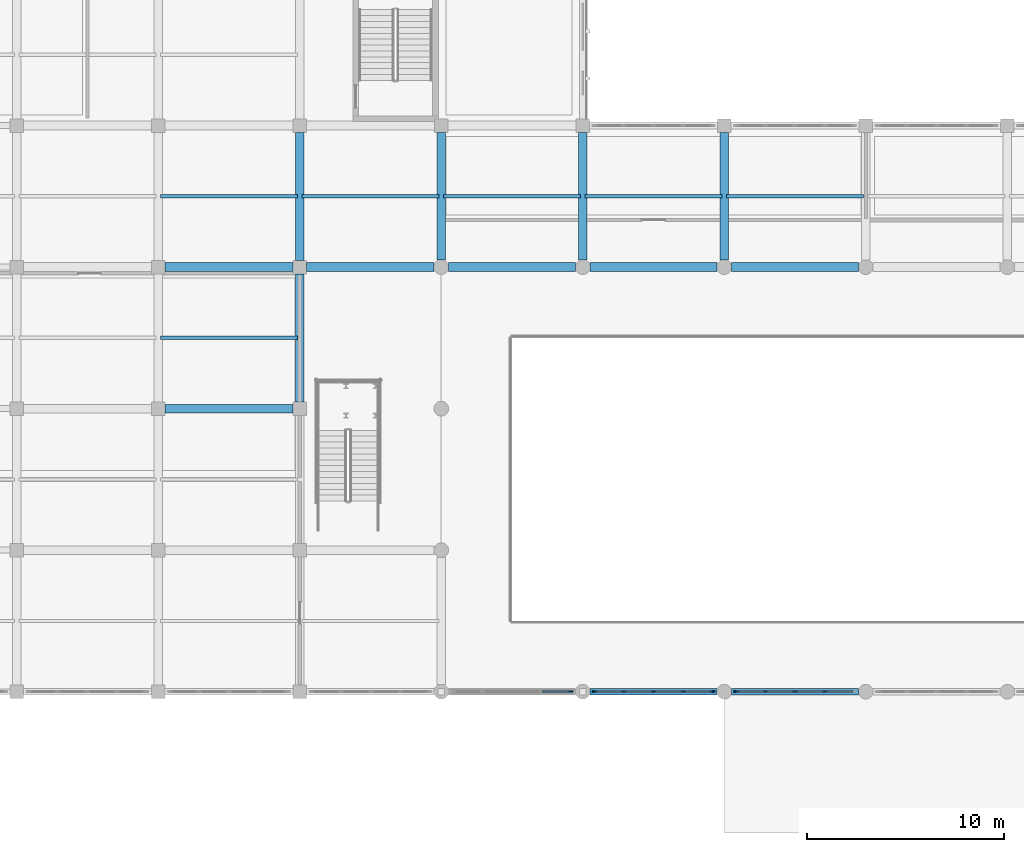
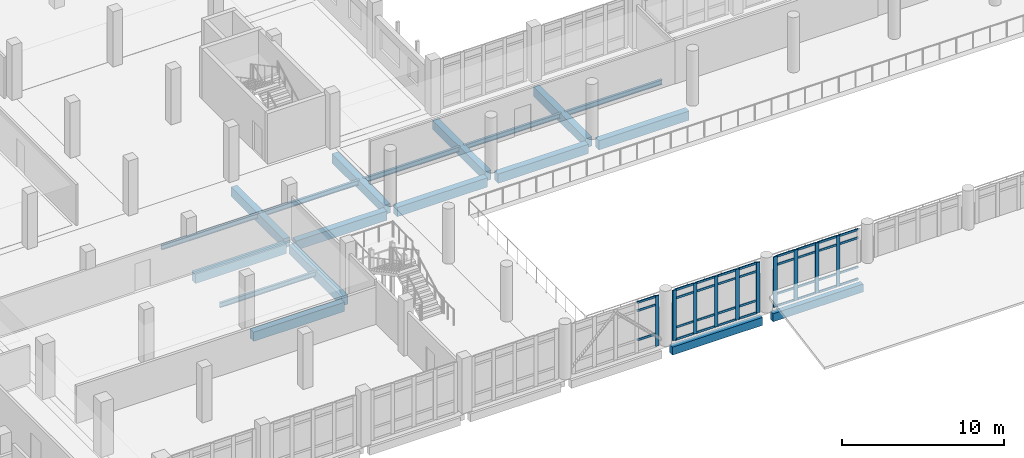
# One storey, part 10 of 57: 45 members, 19 beams, 3 elements without a shape of their own.
"""IFC4 building model written with IfcOpenShell, lengths in metres."""

from ifc_helpers import new_model, si_unit, direction, frame, origin, origin_2d, place, context, subcontext, project, spatial, rectangle, i_section, extrude, material, layer, layer_set, material_profile, profile_set, type_object, element, aggregate, save


model = new_model("IFC4")

# Units and contexts
model_context = context("Model", 3, precision=1e-05, world=origin(), true_north=direction((0.0, 1.0)))
body_context = subcontext(model_context, "Body", "Model", "MODEL_VIEW")
ifc_project = project(units=[si_unit("LENGTHUNIT", "METRE"), si_unit("AREAUNIT", "SQUARE_METRE"), si_unit("VOLUMEUNIT", "CUBIC_METRE"), si_unit("PLANEANGLEUNIT", "RADIAN"), si_unit("MASSUNIT", "GRAM", prefix="KILO")], contexts=[model_context])

# Site, building, storey
site_placement = place(None, origin())
site = spatial("IfcSite", under=ifc_project, at=site_placement, CompositionType="ELEMENT")
building_placement = place(site_placement, origin())
building = spatial("IfcBuilding", under=site, at=building_placement, Name="Valkovuoma Quantum and Materials Research Institute", CompositionType="ELEMENT")
storey_placement = place(building_placement, frame((0.0, 0.0, 4.800048828125)))
storey = spatial("IfcBuildingStorey", under=building, at=storey_placement, Name="L01", CompositionType="ELEMENT", Elevation=4.800048828125)

# Beams
ifc_material_1 = material(Name="Steel S355J2", Category="steel")
ifc_material_profile_1 = material_profile(ifc_material_1, i_section(OverallWidth=0.169921875, OverallDepth=0.360107421875, WebThickness=0.008056640625, FlangeThickness=0.0126953125, FilletRadius=0.01806640625, at=origin_2d()), Name="Steel S355J2")
ifc_profile_set_1 = profile_set([ifc_material_profile_1], Name="Steel S355J2")
beam_type_1 = type_object("IfcBeamType", Name="Beam-B-JST360", PredefinedType="JOIST", material=ifc_profile_set_1)
for number, where, z_axis, x_axis, name in (
    (1, (28.919921875, 54.0, -0.530029296875), (1.0, 0.0, 0.0), (0.0, 1.0, 0.0), "L01 floor joist 0897"),
    (2, (28.919921875, 61.199951171875, -0.530029296875), (1.0, 0.0, 0.0), (0.0, 1.0, 0.0), "L01 floor joist 0908"),
    (3, (36.1201171875, 61.199951171875, -0.530029296875), (1.0, 0.0, 0.0), (0.0, 1.0, 0.0), "L01 floor joist 0909"),
    (4, (43.320068359375, 61.199951171875, -0.530029296875), (1.0, 0.0, 0.0), (0.0, 1.0, 0.0), "L01 floor joist 0910"),
    (5, (50.52001953125, 61.199951171875, -0.530029296875), (1.0, 0.0, 0.0), (0.0, 1.0, 0.0), "L01 floor joist 0911"),
    (6, (57.719970703125, 61.199951171875, -0.530029296875), (1.0, 0.0, 0.0), (0.0, 1.0, 0.0), "L01 floor joist 0912"),
):
    element("IfcBeam", number, at=place(storey_placement, frame(where, z_axis=z_axis, x_axis=x_axis)), inside=storey, type_object=beam_type_1, Name=name, PredefinedType="JOIST", context=body_context, shape_type="SweptSolid", body=[
        extrude(i_section(OverallWidth=0.169921875, OverallDepth=0.360107421875, WebThickness=0.008056640625, FlangeThickness=0.0126953125, FilletRadius=0.01806640625, at=origin_2d()), origin(), (0.0, 0.0, 1.0), 6.9599609375),
    ])
ifc_material_2 = material(Name="Concrete C40/50", Category="concrete")
ifc_material_profile_2 = material_profile(ifc_material_2, rectangle(XDim=0.449951171875, YDim=0.699951171875, at=origin_2d()), Name="Concrete C40/50")
ifc_profile_set_2 = profile_set([ifc_material_profile_2], Name="Concrete C40/50")
beam_type_2 = type_object("IfcBeamType", Name="Beam-B-RC700", PredefinedType="BEAM", material=ifc_profile_set_2)
for number, where, z_axis, x_axis, name in (
    (7, (29.14990234375, 50.39990234375, -0.699951171875), (1.0, 0.0, 0.0), (0.0, 1.0, 0.0), "L01 beam X-0601"),
    (8, (29.14990234375, 57.60009765625, -0.699951171875), (1.0, 0.0, 0.0), (0.0, 1.0, 0.0), "L01 beam X-0612"),
):
    element("IfcBeam", number, at=place(storey_placement, frame(where, z_axis=z_axis, x_axis=x_axis)), inside=storey, type_object=beam_type_2, Name=name, PredefinedType="BEAM", context=body_context, shape_type="SweptSolid", body=[
        extrude(rectangle(XDim=0.449951171875, YDim=0.699951171875, at=origin_2d()), origin(), (0.0, 0.0, 1.0), 6.5),
    ])
beam_1_placement = place(storey_placement, frame((36.35009765625, 57.60009765625, -0.699951171875), z_axis=(1.0, 0.0, 0.0), x_axis=(0.0, 1.0, 0.0)))
element("IfcBeam", 9, at=beam_1_placement, inside=storey, type_object=beam_type_2, Name="L01 beam X-0613", PredefinedType="BEAM", context=body_context, shape_type="SweptSolid", body=[
    extrude(rectangle(XDim=0.449951171875, YDim=0.699951171875, at=origin_2d()), origin(), (0.0, 0.0, 1.0), 6.474853515625),
])
beam_2_placement = place(storey_placement, frame((43.574951171875, 57.60009765625, -0.699951171875), z_axis=(1.0, 0.0, 0.0), x_axis=(0.0, 1.0, 0.0)))
element("IfcBeam", 10, at=beam_2_placement, inside=storey, type_object=beam_type_2, Name="L01 beam X-0614", PredefinedType="BEAM", context=body_context, shape_type="SweptSolid", body=[
    extrude(rectangle(XDim=0.449951171875, YDim=0.699951171875, at=origin_2d()), origin(), (0.0, 0.0, 1.0), 6.449951171875),
])
beam_3_placement = place(storey_placement, frame((50.77490234375, 57.60009765625, -0.699951171875), z_axis=(1.0, 0.0, 0.0), x_axis=(0.0, 1.0, 0.0)))
element("IfcBeam", 11, at=beam_3_placement, inside=storey, type_object=beam_type_2, Name="L01 beam X-0615", PredefinedType="BEAM", context=body_context, shape_type="SweptSolid", body=[
    extrude(rectangle(XDim=0.449951171875, YDim=0.699951171875, at=origin_2d()), origin(), (0.0, 0.0, 1.0), 6.4501953125),
])
beam_4_placement = place(storey_placement, frame((57.97509765625, 57.60009765625, -0.699951171875), z_axis=(1.0, 0.0, 0.0), x_axis=(0.0, 1.0, 0.0)))
element("IfcBeam", 12, at=beam_4_placement, inside=storey, type_object=beam_type_2, Name="L01 beam X-0616", PredefinedType="BEAM", context=body_context, shape_type="SweptSolid", body=[
    extrude(rectangle(XDim=0.449951171875, YDim=0.699951171875, at=origin_2d()), origin(), (0.0, 0.0, 1.0), 6.449951171875),
])
for number, where, z_axis, x_axis, name in (
    (13, (36.0, 50.75, -0.699951171875), (0.0, 1.0, 0.0), (-1.0, 0.0, 0.0), "L01 beam Y-0753"),
    (14, (36.0, 57.949951171875, -0.699951171875), (0.0, 1.0, 0.0), (-1.0, 0.0, 0.0), "L01 beam Y-0754"),
):
    element("IfcBeam", number, at=place(storey_placement, frame(where, z_axis=z_axis, x_axis=x_axis)), inside=storey, type_object=beam_type_2, Name=name, PredefinedType="BEAM", context=body_context, shape_type="SweptSolid", body=[
        extrude(rectangle(XDim=0.449951171875, YDim=0.699951171875, at=origin_2d()), origin(), (0.0, 0.0, 1.0), 6.5),
    ])
for number, where, z_axis, x_axis, name in (
    (15, (43.199951171875, 57.97509765625, -0.699951171875), (0.0, 1.0, 0.0), (-1.0, 0.0, 0.0), "L01 beam Y-0762"),
    (16, (50.39990234375, 57.97509765625, -0.699951171875), (0.0, 1.0, 0.0), (-1.0, 0.0, 0.0), "L01 beam Y-0767"),
    (17, (57.60009765625, 57.97509765625, -0.699951171875), (0.0, 1.0, 0.0), (-1.0, 0.0, 0.0), "L01 beam Y-0774"),
):
    element("IfcBeam", number, at=place(storey_placement, frame(where, z_axis=z_axis, x_axis=x_axis)), inside=storey, type_object=beam_type_2, Name=name, PredefinedType="BEAM", context=body_context, shape_type="SweptSolid", body=[
        extrude(rectangle(XDim=0.449951171875, YDim=0.699951171875, at=origin_2d()), origin(), (0.0, 0.0, 1.0), 6.474853515625),
    ])
ifc_material_3 = material(Name="Concrete C40/50", Category="concrete")
ifc_material_profile_3 = material_profile(ifc_material_3, rectangle(XDim=0.35009765625, YDim=0.60009765625, at=origin_2d()), Name="Concrete C40/50")
ifc_profile_set_3 = profile_set([ifc_material_profile_3], Name="Concrete C40/50")
beam_type_3 = type_object("IfcBeamType", Name="Beam-B-SPN600", PredefinedType="SPANDREL", material=ifc_profile_set_3)
beam_5_placement = place(storey_placement, frame((50.77490234375, 36.0, -0.650146484375), z_axis=(1.0, 0.0, 0.0), x_axis=(0.0, 1.0, 0.0)))
element("IfcBeam", 18, at=beam_5_placement, inside=storey, type_object=beam_type_3, Name="L01 beam X-0569", PredefinedType="SPANDREL", context=body_context, shape_type="SweptSolid", body=[
    extrude(rectangle(XDim=0.35009765625, YDim=0.60009765625, at=origin_2d()), origin(), (0.0, 0.0, 1.0), 6.4501953125),
])
beam_6_placement = place(storey_placement, frame((57.97509765625, 36.0, -0.650146484375), z_axis=(1.0, 0.0, 0.0), x_axis=(0.0, 1.0, 0.0)))
element("IfcBeam", 19, at=beam_6_placement, inside=storey, type_object=beam_type_3, Name="L01 beam X-0570", PredefinedType="SPANDREL", context=body_context, shape_type="SweptSolid", body=[
    extrude(rectangle(XDim=0.35009765625, YDim=0.60009765625, at=origin_2d()), origin(), (0.0, 0.0, 1.0), 6.449951171875),
])

# Curtain wall, member
ifc_material_4 = material(Name="Thermally broken aluminium and triple low-E glazing", Category="aluminium")
ifc_layer = layer(ifc_material_4, 0.219970703125)
ifc_layer_set = layer_set([ifc_layer], Name="Thermally broken aluminium and triple low-E glazing")
curtain_wall_type = type_object("IfcCurtainWallType", Name="CW-CW-02", PredefinedType="NOTDEFINED", material=ifc_layer_set)
curtain_wall_1_placement = place(storey_placement, origin())
curtain_wall_1 = element("IfcCurtainWall", 20, at=curtain_wall_1_placement, inside=storey, type_object=curtain_wall_type, Name="L01 curtain wall 163", PredefinedType="NOTDEFINED")
ifc_material_5 = material(Name="Anodised aluminium 6060-T66", Category="aluminium")
ifc_material_profile_4 = material_profile(ifc_material_5, rectangle(XDim=0.080078125, YDim=0.260009765625, at=origin_2d()), Name="Anodised aluminium 6060-T66")
ifc_profile_set_4 = profile_set([ifc_material_profile_4], Name="Anodised aluminium 6060-T66")
member_type_1 = type_object("IfcMemberType", Name="CWMull-CWM-03", PredefinedType="MULLION", material=ifc_profile_set_4)
member_1_placement = place(storey_placement, frame((49.780029296875, 36.0, 0.0), z_axis=(0.0, 0.0, 1.0), x_axis=(0.0, 1.0, 0.0)))
member_1 = element("IfcMember", 21, at=member_1_placement, type_object=member_type_1, Name="CW-02 mullion 5", PredefinedType="MULLION", context=body_context, shape_type="SweptSolid", body=[
    extrude(rectangle(XDim=0.080078125, YDim=0.260009765625, at=origin_2d()), origin(), (0.0, 0.0, 1.0), 3.81005859375),
])

# Curtain wall, members
curtain_wall_2_placement = place(storey_placement, origin())
curtain_wall_2 = element("IfcCurtainWall", 22, at=curtain_wall_2_placement, inside=storey, type_object=curtain_wall_type, Name="L01 curtain wall 164", PredefinedType="NOTDEFINED")
member_2_placement = place(storey_placement, frame((51.02001953125, 36.0, 0.0), z_axis=(0.0, 0.0, 1.0), x_axis=(0.0, 1.0, 0.0)))
member_2 = element("IfcMember", 23, at=member_2_placement, type_object=member_type_1, Name="CW-02 mullion 1", PredefinedType="MULLION", context=body_context, shape_type="SweptSolid", body=[
    extrude(rectangle(XDim=0.080078125, YDim=0.260009765625, at=origin_2d()), origin(), (0.0, 0.0, 1.0), 3.81005859375),
])
member_3_placement = place(storey_placement, frame((52.489990234375, 36.0, 0.0), z_axis=(0.0, 0.0, 1.0), x_axis=(0.0, 1.0, 0.0)))
member_3 = element("IfcMember", 24, at=member_3_placement, type_object=member_type_1, Name="CW-02 mullion 2", PredefinedType="MULLION", context=body_context, shape_type="SweptSolid", body=[
    extrude(rectangle(XDim=0.080078125, YDim=0.260009765625, at=origin_2d()), origin(), (0.0, 0.0, 1.0), 3.81005859375),
])
member_4_placement = place(storey_placement, frame((54.0, 36.0, 0.0), z_axis=(0.0, 0.0, 1.0), x_axis=(0.0, 1.0, 0.0)))
member_4 = element("IfcMember", 25, at=member_4_placement, type_object=member_type_1, Name="CW-02 mullion 3", PredefinedType="MULLION", context=body_context, shape_type="SweptSolid", body=[
    extrude(rectangle(XDim=0.080078125, YDim=0.260009765625, at=origin_2d()), origin(), (0.0, 0.0, 1.0), 3.81005859375),
])
member_5_placement = place(storey_placement, frame((55.510009765625, 36.0, 0.0), z_axis=(0.0, 0.0, 1.0), x_axis=(0.0, 1.0, 0.0)))
member_5 = element("IfcMember", 26, at=member_5_placement, type_object=member_type_1, Name="CW-02 mullion 4", PredefinedType="MULLION", context=body_context, shape_type="SweptSolid", body=[
    extrude(rectangle(XDim=0.080078125, YDim=0.260009765625, at=origin_2d()), origin(), (0.0, 0.0, 1.0), 3.81005859375),
])
member_6_placement = place(storey_placement, frame((56.97998046875, 36.0, 0.0), z_axis=(0.0, 0.0, 1.0), x_axis=(0.0, 1.0, 0.0)))
member_6 = element("IfcMember", 27, at=member_6_placement, type_object=member_type_1, Name="CW-02 mullion 5", PredefinedType="MULLION", context=body_context, shape_type="SweptSolid", body=[
    extrude(rectangle(XDim=0.080078125, YDim=0.260009765625, at=origin_2d()), origin(), (0.0, 0.0, 1.0), 3.81005859375),
])

curtain_wall_3_placement = place(storey_placement, origin())
curtain_wall_3 = element("IfcCurtainWall", 28, at=curtain_wall_3_placement, inside=storey, type_object=curtain_wall_type, Name="L01 curtain wall 165", PredefinedType="NOTDEFINED")
member_7_placement = place(storey_placement, frame((58.219970703125, 36.0, 0.0), z_axis=(0.0, 0.0, 1.0), x_axis=(0.0, 1.0, 0.0)))
member_7 = element("IfcMember", 29, at=member_7_placement, type_object=member_type_1, Name="CW-02 mullion 1", PredefinedType="MULLION", context=body_context, shape_type="SweptSolid", body=[
    extrude(rectangle(XDim=0.080078125, YDim=0.260009765625, at=origin_2d()), origin(), (0.0, 0.0, 1.0), 3.81005859375),
])
member_8_placement = place(storey_placement, frame((59.68994140625, 36.0, 0.0), z_axis=(0.0, 0.0, 1.0), x_axis=(0.0, 1.0, 0.0)))
member_8 = element("IfcMember", 30, at=member_8_placement, type_object=member_type_1, Name="CW-02 mullion 2", PredefinedType="MULLION", context=body_context, shape_type="SweptSolid", body=[
    extrude(rectangle(XDim=0.080078125, YDim=0.260009765625, at=origin_2d()), origin(), (0.0, 0.0, 1.0), 3.81005859375),
])
member_9_placement = place(storey_placement, frame((61.199951171875, 36.0, 0.0), z_axis=(0.0, 0.0, 1.0), x_axis=(0.0, 1.0, 0.0)))
member_9 = element("IfcMember", 31, at=member_9_placement, type_object=member_type_1, Name="CW-02 mullion 3", PredefinedType="MULLION", context=body_context, shape_type="SweptSolid", body=[
    extrude(rectangle(XDim=0.080078125, YDim=0.260009765625, at=origin_2d()), origin(), (0.0, 0.0, 1.0), 3.81005859375),
])
member_10_placement = place(storey_placement, frame((62.7099609375, 36.0, 0.0), z_axis=(0.0, 0.0, 1.0), x_axis=(0.0, 1.0, 0.0)))
member_10 = element("IfcMember", 32, at=member_10_placement, type_object=member_type_1, Name="CW-02 mullion 4", PredefinedType="MULLION", context=body_context, shape_type="SweptSolid", body=[
    extrude(rectangle(XDim=0.080078125, YDim=0.260009765625, at=origin_2d()), origin(), (0.0, 0.0, 1.0), 3.81005859375),
])

# Member
ifc_material_6 = material(Name="Anodised aluminium 6060-T66", Category="aluminium")
ifc_material_profile_5 = material_profile(ifc_material_6, rectangle(XDim=0.074951171875, YDim=0.159912109375, at=origin_2d()), Name="Anodised aluminium 6060-T66")
ifc_profile_set_5 = profile_set([ifc_material_profile_5], Name="Anodised aluminium 6060-T66")
member_type_2 = type_object("IfcMemberType", Name="CWTran-CWT-02", PredefinedType="USERDEFINED", material=ifc_profile_set_5)
member_11_placement = place(storey_placement, frame((48.35009765625, 36.0, 0.949951171875), z_axis=(1.0, 0.0, 0.0), x_axis=(0.0, 1.0, 0.0)))
member_11 = element("IfcMember", 33, at=member_11_placement, type_object=member_type_2, Name="CW-02 transom 4.2", ObjectType="TRANSOM", PredefinedType="USERDEFINED", context=body_context, shape_type="SweptSolid", body=[
    extrude(rectangle(XDim=0.074951171875, YDim=0.159912109375, at=origin_2d()), origin(), (0.0, 0.0, 1.0), 1.389892578125),
])

member_12_placement = place(storey_placement, frame((48.35009765625, 36.0, 3.159912109375), z_axis=(1.0, 0.0, 0.0), x_axis=(0.0, 1.0, 0.0)))
member_12 = element("IfcMember", 34, at=member_12_placement, type_object=member_type_2, Name="CW-02 transom 4.3", ObjectType="TRANSOM", PredefinedType="USERDEFINED", context=body_context, shape_type="SweptSolid", body=[
    extrude(rectangle(XDim=0.074951171875, YDim=0.159912109375, at=origin_2d()), origin(), (0.0, 0.0, 1.0), 1.389892578125),
])

member_13_placement = place(storey_placement, frame((48.35009765625, 36.0, 3.7724609375), z_axis=(1.0, 0.0, 0.0), x_axis=(0.0, 1.0, 0.0)))
member_13 = element("IfcMember", 35, at=member_13_placement, type_object=member_type_2, Name="CW-02 transom 4.4", ObjectType="TRANSOM", PredefinedType="USERDEFINED", context=body_context, shape_type="SweptSolid", body=[
    extrude(rectangle(XDim=0.074951171875, YDim=0.159912109375, at=origin_2d()), origin(), (0.0, 0.0, 1.0), 1.389892578125),
])

aggregate(curtain_wall_1, [member_1, member_11, member_12, member_13])

member_14_placement = place(storey_placement, frame((51.06005859375, 36.0, 0.037353515625), z_axis=(1.0, 0.0, 0.0), x_axis=(0.0, 1.0, 0.0)))
member_14 = element("IfcMember", 36, at=member_14_placement, type_object=member_type_2, Name="CW-02 transom 1.1", ObjectType="TRANSOM", PredefinedType="USERDEFINED", context=body_context, shape_type="SweptSolid", body=[
    extrude(rectangle(XDim=0.074951171875, YDim=0.159912109375, at=origin_2d()), origin(), (0.0, 0.0, 1.0), 1.389892578125),
])

member_15_placement = place(storey_placement, frame((51.06005859375, 36.0, 0.949951171875), z_axis=(1.0, 0.0, 0.0), x_axis=(0.0, 1.0, 0.0)))
member_15 = element("IfcMember", 37, at=member_15_placement, type_object=member_type_2, Name="CW-02 transom 1.2", ObjectType="TRANSOM", PredefinedType="USERDEFINED", context=body_context, shape_type="SweptSolid", body=[
    extrude(rectangle(XDim=0.074951171875, YDim=0.159912109375, at=origin_2d()), origin(), (0.0, 0.0, 1.0), 1.389892578125),
])

member_16_placement = place(storey_placement, frame((51.06005859375, 36.0, 3.159912109375), z_axis=(1.0, 0.0, 0.0), x_axis=(0.0, 1.0, 0.0)))
member_16 = element("IfcMember", 38, at=member_16_placement, type_object=member_type_2, Name="CW-02 transom 1.3", ObjectType="TRANSOM", PredefinedType="USERDEFINED", context=body_context, shape_type="SweptSolid", body=[
    extrude(rectangle(XDim=0.074951171875, YDim=0.159912109375, at=origin_2d()), origin(), (0.0, 0.0, 1.0), 1.389892578125),
])

member_17_placement = place(storey_placement, frame((51.06005859375, 36.0, 3.7724609375), z_axis=(1.0, 0.0, 0.0), x_axis=(0.0, 1.0, 0.0)))
member_17 = element("IfcMember", 39, at=member_17_placement, type_object=member_type_2, Name="CW-02 transom 1.4", ObjectType="TRANSOM", PredefinedType="USERDEFINED", context=body_context, shape_type="SweptSolid", body=[
    extrude(rectangle(XDim=0.074951171875, YDim=0.159912109375, at=origin_2d()), origin(), (0.0, 0.0, 1.0), 1.389892578125),
])

member_18_placement = place(storey_placement, frame((52.530029296875, 36.0, 0.037353515625), z_axis=(1.0, 0.0, 0.0), x_axis=(0.0, 1.0, 0.0)))
member_18 = element("IfcMember", 40, at=member_18_placement, type_object=member_type_2, Name="CW-02 transom 2.1", ObjectType="TRANSOM", PredefinedType="USERDEFINED", context=body_context, shape_type="SweptSolid", body=[
    extrude(rectangle(XDim=0.074951171875, YDim=0.159912109375, at=origin_2d()), origin(), (0.0, 0.0, 1.0), 1.429931640625),
])

member_19_placement = place(storey_placement, frame((52.530029296875, 36.0, 0.949951171875), z_axis=(1.0, 0.0, 0.0), x_axis=(0.0, 1.0, 0.0)))
member_19 = element("IfcMember", 41, at=member_19_placement, type_object=member_type_2, Name="CW-02 transom 2.2", ObjectType="TRANSOM", PredefinedType="USERDEFINED", context=body_context, shape_type="SweptSolid", body=[
    extrude(rectangle(XDim=0.074951171875, YDim=0.159912109375, at=origin_2d()), origin(), (0.0, 0.0, 1.0), 1.429931640625),
])

member_20_placement = place(storey_placement, frame((52.530029296875, 36.0, 3.159912109375), z_axis=(1.0, 0.0, 0.0), x_axis=(0.0, 1.0, 0.0)))
member_20 = element("IfcMember", 42, at=member_20_placement, type_object=member_type_2, Name="CW-02 transom 2.3", ObjectType="TRANSOM", PredefinedType="USERDEFINED", context=body_context, shape_type="SweptSolid", body=[
    extrude(rectangle(XDim=0.074951171875, YDim=0.159912109375, at=origin_2d()), origin(), (0.0, 0.0, 1.0), 1.429931640625),
])

member_21_placement = place(storey_placement, frame((52.530029296875, 36.0, 3.7724609375), z_axis=(1.0, 0.0, 0.0), x_axis=(0.0, 1.0, 0.0)))
member_21 = element("IfcMember", 43, at=member_21_placement, type_object=member_type_2, Name="CW-02 transom 2.4", ObjectType="TRANSOM", PredefinedType="USERDEFINED", context=body_context, shape_type="SweptSolid", body=[
    extrude(rectangle(XDim=0.074951171875, YDim=0.159912109375, at=origin_2d()), origin(), (0.0, 0.0, 1.0), 1.429931640625),
])

member_22_placement = place(storey_placement, frame((54.0400390625, 36.0, 0.037353515625), z_axis=(1.0, 0.0, 0.0), x_axis=(0.0, 1.0, 0.0)))
member_22 = element("IfcMember", 44, at=member_22_placement, type_object=member_type_2, Name="CW-02 transom 3.1", ObjectType="TRANSOM", PredefinedType="USERDEFINED", context=body_context, shape_type="SweptSolid", body=[
    extrude(rectangle(XDim=0.074951171875, YDim=0.159912109375, at=origin_2d()), origin(), (0.0, 0.0, 1.0), 1.429931640625),
])

member_23_placement = place(storey_placement, frame((54.0400390625, 36.0, 0.949951171875), z_axis=(1.0, 0.0, 0.0), x_axis=(0.0, 1.0, 0.0)))
member_23 = element("IfcMember", 45, at=member_23_placement, type_object=member_type_2, Name="CW-02 transom 3.2", ObjectType="TRANSOM", PredefinedType="USERDEFINED", context=body_context, shape_type="SweptSolid", body=[
    extrude(rectangle(XDim=0.074951171875, YDim=0.159912109375, at=origin_2d()), origin(), (0.0, 0.0, 1.0), 1.429931640625),
])

member_24_placement = place(storey_placement, frame((54.0400390625, 36.0, 3.159912109375), z_axis=(1.0, 0.0, 0.0), x_axis=(0.0, 1.0, 0.0)))
member_24 = element("IfcMember", 46, at=member_24_placement, type_object=member_type_2, Name="CW-02 transom 3.3", ObjectType="TRANSOM", PredefinedType="USERDEFINED", context=body_context, shape_type="SweptSolid", body=[
    extrude(rectangle(XDim=0.074951171875, YDim=0.159912109375, at=origin_2d()), origin(), (0.0, 0.0, 1.0), 1.429931640625),
])

member_25_placement = place(storey_placement, frame((54.0400390625, 36.0, 3.7724609375), z_axis=(1.0, 0.0, 0.0), x_axis=(0.0, 1.0, 0.0)))
member_25 = element("IfcMember", 47, at=member_25_placement, type_object=member_type_2, Name="CW-02 transom 3.4", ObjectType="TRANSOM", PredefinedType="USERDEFINED", context=body_context, shape_type="SweptSolid", body=[
    extrude(rectangle(XDim=0.074951171875, YDim=0.159912109375, at=origin_2d()), origin(), (0.0, 0.0, 1.0), 1.429931640625),
])

member_26_placement = place(storey_placement, frame((55.550048828125, 36.0, 0.037353515625), z_axis=(1.0, 0.0, 0.0), x_axis=(0.0, 1.0, 0.0)))
member_26 = element("IfcMember", 48, at=member_26_placement, type_object=member_type_2, Name="CW-02 transom 4.1", ObjectType="TRANSOM", PredefinedType="USERDEFINED", context=body_context, shape_type="SweptSolid", body=[
    extrude(rectangle(XDim=0.074951171875, YDim=0.159912109375, at=origin_2d()), origin(), (0.0, 0.0, 1.0), 1.389892578125),
])

member_27_placement = place(storey_placement, frame((55.550048828125, 36.0, 0.949951171875), z_axis=(1.0, 0.0, 0.0), x_axis=(0.0, 1.0, 0.0)))
member_27 = element("IfcMember", 49, at=member_27_placement, type_object=member_type_2, Name="CW-02 transom 4.2", ObjectType="TRANSOM", PredefinedType="USERDEFINED", context=body_context, shape_type="SweptSolid", body=[
    extrude(rectangle(XDim=0.074951171875, YDim=0.159912109375, at=origin_2d()), origin(), (0.0, 0.0, 1.0), 1.389892578125),
])

member_28_placement = place(storey_placement, frame((55.550048828125, 36.0, 3.159912109375), z_axis=(1.0, 0.0, 0.0), x_axis=(0.0, 1.0, 0.0)))
member_28 = element("IfcMember", 50, at=member_28_placement, type_object=member_type_2, Name="CW-02 transom 4.3", ObjectType="TRANSOM", PredefinedType="USERDEFINED", context=body_context, shape_type="SweptSolid", body=[
    extrude(rectangle(XDim=0.074951171875, YDim=0.159912109375, at=origin_2d()), origin(), (0.0, 0.0, 1.0), 1.389892578125),
])

member_29_placement = place(storey_placement, frame((55.550048828125, 36.0, 3.7724609375), z_axis=(1.0, 0.0, 0.0), x_axis=(0.0, 1.0, 0.0)))
member_29 = element("IfcMember", 51, at=member_29_placement, type_object=member_type_2, Name="CW-02 transom 4.4", ObjectType="TRANSOM", PredefinedType="USERDEFINED", context=body_context, shape_type="SweptSolid", body=[
    extrude(rectangle(XDim=0.074951171875, YDim=0.159912109375, at=origin_2d()), origin(), (0.0, 0.0, 1.0), 1.389892578125),
])

aggregate(curtain_wall_2, [member_2, member_3, member_4, member_5, member_6, member_14, member_15, member_16, member_17, member_18, member_19, member_20, member_21, member_22, member_23, member_24, member_25, member_26, member_27, member_28, member_29])

member_30_placement = place(storey_placement, frame((58.260009765625, 36.0, 0.037353515625), z_axis=(1.0, 0.0, 0.0), x_axis=(0.0, 1.0, 0.0)))
member_30 = element("IfcMember", 52, at=member_30_placement, type_object=member_type_2, Name="CW-02 transom 1.1", ObjectType="TRANSOM", PredefinedType="USERDEFINED", context=body_context, shape_type="SweptSolid", body=[
    extrude(rectangle(XDim=0.074951171875, YDim=0.159912109375, at=origin_2d()), origin(), (0.0, 0.0, 1.0), 1.389892578125),
])

member_31_placement = place(storey_placement, frame((58.260009765625, 36.0, 0.949951171875), z_axis=(1.0, 0.0, 0.0), x_axis=(0.0, 1.0, 0.0)))
member_31 = element("IfcMember", 53, at=member_31_placement, type_object=member_type_2, Name="CW-02 transom 1.2", ObjectType="TRANSOM", PredefinedType="USERDEFINED", context=body_context, shape_type="SweptSolid", body=[
    extrude(rectangle(XDim=0.074951171875, YDim=0.159912109375, at=origin_2d()), origin(), (0.0, 0.0, 1.0), 1.389892578125),
])

member_32_placement = place(storey_placement, frame((58.260009765625, 36.0, 3.159912109375), z_axis=(1.0, 0.0, 0.0), x_axis=(0.0, 1.0, 0.0)))
member_32 = element("IfcMember", 54, at=member_32_placement, type_object=member_type_2, Name="CW-02 transom 1.3", ObjectType="TRANSOM", PredefinedType="USERDEFINED", context=body_context, shape_type="SweptSolid", body=[
    extrude(rectangle(XDim=0.074951171875, YDim=0.159912109375, at=origin_2d()), origin(), (0.0, 0.0, 1.0), 1.389892578125),
])

member_33_placement = place(storey_placement, frame((58.260009765625, 36.0, 3.7724609375), z_axis=(1.0, 0.0, 0.0), x_axis=(0.0, 1.0, 0.0)))
member_33 = element("IfcMember", 55, at=member_33_placement, type_object=member_type_2, Name="CW-02 transom 1.4", ObjectType="TRANSOM", PredefinedType="USERDEFINED", context=body_context, shape_type="SweptSolid", body=[
    extrude(rectangle(XDim=0.074951171875, YDim=0.159912109375, at=origin_2d()), origin(), (0.0, 0.0, 1.0), 1.389892578125),
])

member_34_placement = place(storey_placement, frame((59.72998046875, 36.0, 0.037353515625), z_axis=(1.0, 0.0, 0.0), x_axis=(0.0, 1.0, 0.0)))
member_34 = element("IfcMember", 56, at=member_34_placement, type_object=member_type_2, Name="CW-02 transom 2.1", ObjectType="TRANSOM", PredefinedType="USERDEFINED", context=body_context, shape_type="SweptSolid", body=[
    extrude(rectangle(XDim=0.074951171875, YDim=0.159912109375, at=origin_2d()), origin(), (0.0, 0.0, 1.0), 1.429931640625),
])

member_35_placement = place(storey_placement, frame((59.72998046875, 36.0, 0.949951171875), z_axis=(1.0, 0.0, 0.0), x_axis=(0.0, 1.0, 0.0)))
member_35 = element("IfcMember", 57, at=member_35_placement, type_object=member_type_2, Name="CW-02 transom 2.2", ObjectType="TRANSOM", PredefinedType="USERDEFINED", context=body_context, shape_type="SweptSolid", body=[
    extrude(rectangle(XDim=0.074951171875, YDim=0.159912109375, at=origin_2d()), origin(), (0.0, 0.0, 1.0), 1.429931640625),
])

member_36_placement = place(storey_placement, frame((59.72998046875, 36.0, 3.159912109375), z_axis=(1.0, 0.0, 0.0), x_axis=(0.0, 1.0, 0.0)))
member_36 = element("IfcMember", 58, at=member_36_placement, type_object=member_type_2, Name="CW-02 transom 2.3", ObjectType="TRANSOM", PredefinedType="USERDEFINED", context=body_context, shape_type="SweptSolid", body=[
    extrude(rectangle(XDim=0.074951171875, YDim=0.159912109375, at=origin_2d()), origin(), (0.0, 0.0, 1.0), 1.429931640625),
])

member_37_placement = place(storey_placement, frame((59.72998046875, 36.0, 3.7724609375), z_axis=(1.0, 0.0, 0.0), x_axis=(0.0, 1.0, 0.0)))
member_37 = element("IfcMember", 59, at=member_37_placement, type_object=member_type_2, Name="CW-02 transom 2.4", ObjectType="TRANSOM", PredefinedType="USERDEFINED", context=body_context, shape_type="SweptSolid", body=[
    extrude(rectangle(XDim=0.074951171875, YDim=0.159912109375, at=origin_2d()), origin(), (0.0, 0.0, 1.0), 1.429931640625),
])

member_38_placement = place(storey_placement, frame((61.239990234375, 36.0, 0.037353515625), z_axis=(1.0, 0.0, 0.0), x_axis=(0.0, 1.0, 0.0)))
member_38 = element("IfcMember", 60, at=member_38_placement, type_object=member_type_2, Name="CW-02 transom 3.1", ObjectType="TRANSOM", PredefinedType="USERDEFINED", context=body_context, shape_type="SweptSolid", body=[
    extrude(rectangle(XDim=0.074951171875, YDim=0.159912109375, at=origin_2d()), origin(), (0.0, 0.0, 1.0), 1.429931640625),
])

member_39_placement = place(storey_placement, frame((61.239990234375, 36.0, 0.949951171875), z_axis=(1.0, 0.0, 0.0), x_axis=(0.0, 1.0, 0.0)))
member_39 = element("IfcMember", 61, at=member_39_placement, type_object=member_type_2, Name="CW-02 transom 3.2", ObjectType="TRANSOM", PredefinedType="USERDEFINED", context=body_context, shape_type="SweptSolid", body=[
    extrude(rectangle(XDim=0.074951171875, YDim=0.159912109375, at=origin_2d()), origin(), (0.0, 0.0, 1.0), 1.429931640625),
])

member_40_placement = place(storey_placement, frame((61.239990234375, 36.0, 3.159912109375), z_axis=(1.0, 0.0, 0.0), x_axis=(0.0, 1.0, 0.0)))
member_40 = element("IfcMember", 62, at=member_40_placement, type_object=member_type_2, Name="CW-02 transom 3.3", ObjectType="TRANSOM", PredefinedType="USERDEFINED", context=body_context, shape_type="SweptSolid", body=[
    extrude(rectangle(XDim=0.074951171875, YDim=0.159912109375, at=origin_2d()), origin(), (0.0, 0.0, 1.0), 1.429931640625),
])

member_41_placement = place(storey_placement, frame((61.239990234375, 36.0, 3.7724609375), z_axis=(1.0, 0.0, 0.0), x_axis=(0.0, 1.0, 0.0)))
member_41 = element("IfcMember", 63, at=member_41_placement, type_object=member_type_2, Name="CW-02 transom 3.4", ObjectType="TRANSOM", PredefinedType="USERDEFINED", context=body_context, shape_type="SweptSolid", body=[
    extrude(rectangle(XDim=0.074951171875, YDim=0.159912109375, at=origin_2d()), origin(), (0.0, 0.0, 1.0), 1.429931640625),
])

member_42_placement = place(storey_placement, frame((62.75, 36.0, 0.037353515625), z_axis=(1.0, 0.0, 0.0), x_axis=(0.0, 1.0, 0.0)))
member_42 = element("IfcMember", 64, at=member_42_placement, type_object=member_type_2, Name="CW-02 transom 4.1", ObjectType="TRANSOM", PredefinedType="USERDEFINED", context=body_context, shape_type="SweptSolid", body=[
    extrude(rectangle(XDim=0.074951171875, YDim=0.159912109375, at=origin_2d()), origin(), (0.0, 0.0, 1.0), 1.389892578125),
])

member_43_placement = place(storey_placement, frame((62.75, 36.0, 0.949951171875), z_axis=(1.0, 0.0, 0.0), x_axis=(0.0, 1.0, 0.0)))
member_43 = element("IfcMember", 65, at=member_43_placement, type_object=member_type_2, Name="CW-02 transom 4.2", ObjectType="TRANSOM", PredefinedType="USERDEFINED", context=body_context, shape_type="SweptSolid", body=[
    extrude(rectangle(XDim=0.074951171875, YDim=0.159912109375, at=origin_2d()), origin(), (0.0, 0.0, 1.0), 1.389892578125),
])

member_44_placement = place(storey_placement, frame((62.75, 36.0, 3.159912109375), z_axis=(1.0, 0.0, 0.0), x_axis=(0.0, 1.0, 0.0)))
member_44 = element("IfcMember", 66, at=member_44_placement, type_object=member_type_2, Name="CW-02 transom 4.3", ObjectType="TRANSOM", PredefinedType="USERDEFINED", context=body_context, shape_type="SweptSolid", body=[
    extrude(rectangle(XDim=0.074951171875, YDim=0.159912109375, at=origin_2d()), origin(), (0.0, 0.0, 1.0), 1.389892578125),
])

member_45_placement = place(storey_placement, frame((62.75, 36.0, 3.7724609375), z_axis=(1.0, 0.0, 0.0), x_axis=(0.0, 1.0, 0.0)))
member_45 = element("IfcMember", 67, at=member_45_placement, type_object=member_type_2, Name="CW-02 transom 4.4", ObjectType="TRANSOM", PredefinedType="USERDEFINED", context=body_context, shape_type="SweptSolid", body=[
    extrude(rectangle(XDim=0.074951171875, YDim=0.159912109375, at=origin_2d()), origin(), (0.0, 0.0, 1.0), 1.389892578125),
])

aggregate(curtain_wall_3, [member_7, member_8, member_9, member_10, member_30, member_31, member_32, member_33, member_34, member_35, member_36, member_37, member_38, member_39, member_40, member_41, member_42, member_43, member_44, member_45])

save(model, "model.ifc")
